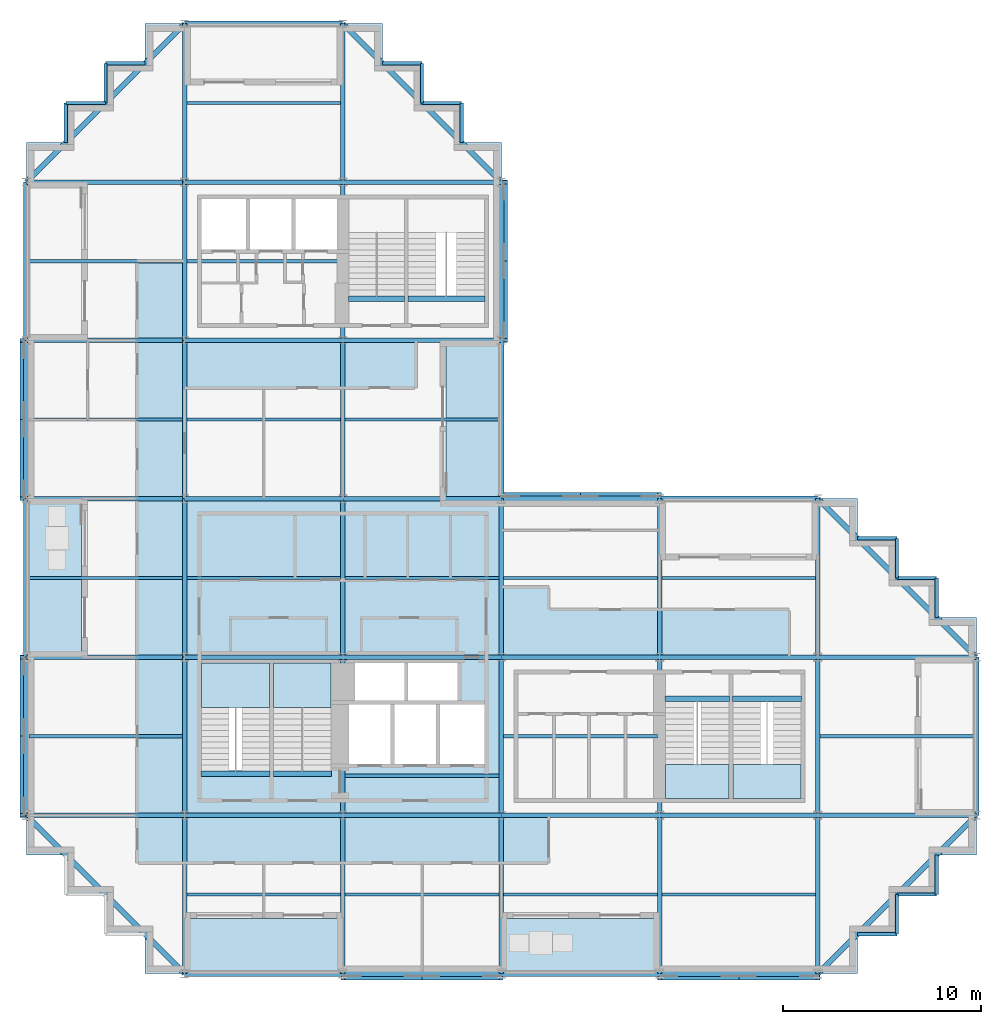
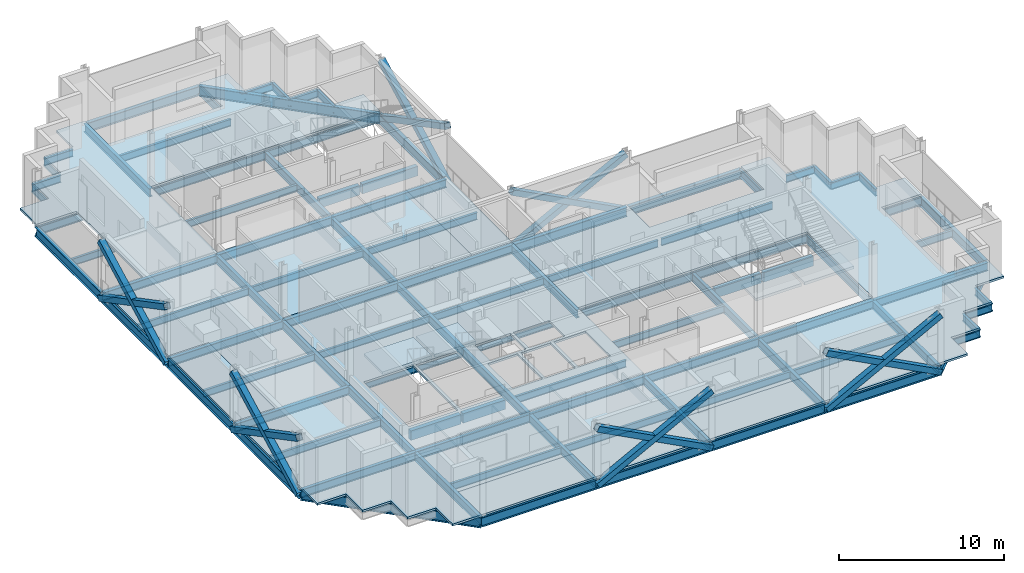
# One storey, part 3 of 13: 102 beams, 12 members, 10 slabs, 4 elements without a shape of their own.
"""IFC4 building model written with IfcOpenShell, lengths in metres."""

from ifc_helpers import new_model, si_unit, direction, frame, origin, origin_2d, place, context, subcontext, project, spatial, polyline, rectangle, hollow_rectangle, i_section, outline, extrude, material, layer, layer_set, material_profile, profile_set, type_object, element, aggregate, save


model = new_model("IFC4")

# Units and contexts
model_context = context("Model", 3, precision=1e-05, world=origin(), true_north=direction((0.0, 1.0)))
body_context = subcontext(model_context, "Body", "Model", "MODEL_VIEW")
ifc_project = project(units=[si_unit("LENGTHUNIT", "METRE"), si_unit("AREAUNIT", "SQUARE_METRE"), si_unit("VOLUMEUNIT", "CUBIC_METRE"), si_unit("PLANEANGLEUNIT", "RADIAN"), si_unit("MASSUNIT", "GRAM", prefix="KILO")], contexts=[model_context])

# Site, building, storey
site_placement = place(None, origin())
site = spatial("IfcSite", under=ifc_project, at=site_placement, CompositionType="ELEMENT")
building_placement = place(site_placement, origin())
building = spatial("IfcBuilding", under=site, at=building_placement, Name="Immortelle Media Tower", CompositionType="ELEMENT")
storey_placement = place(building_placement, frame((0.0, 0.0, 128.39990234375)))
storey = spatial("IfcBuildingStorey", under=building, at=storey_placement, Name="L25", CompositionType="ELEMENT", Elevation=128.39990234375)

# Members
ifc_material_1 = material(Name="Steel ASTM A500 Gr C", Category="steel")
ifc_material_profile_1 = material_profile(ifc_material_1, hollow_rectangle(XDim=0.406005859375, YDim=0.406005859375, WallThickness=0.011962890625, at=origin_2d()), Name="HSS16x16x1/2 brace")
ifc_profile_set_1 = profile_set([ifc_material_profile_1], Name="Steel ASTM A500 Gr C")
member_type = type_object("IfcMemberType", Name="HSS16x16x1/2 brace", PredefinedType="BRACE", material=ifc_profile_set_1)
for number, where, z_axis, x_axis, name in (
    (1, (16.0, -0.113037109375, -0.496337890625), (0.885400126936, 0.0, 0.464829662588), (0.0, 1.0, 0.0), "Brace A/3-4 A"),
    (2, (16.0, -0.113037109375, 3.70361328125), (0.885400126936, 0.0, -0.464829662588), (0.0, 1.0, 0.0), "Brace A/3-4 B"),
    (3, (32.0, -0.113037109375, -0.496337890625), (0.885400126936, 0.0, 0.464829662588), (0.0, 1.0, 0.0), "Brace A/5-6 A"),
    (4, (32.0, -0.113037109375, 3.70361328125), (0.885400126936, 0.0, -0.464829662588), (0.0, 1.0, 0.0), "Brace A/5-6 B"),
    (5, (32.0, 24.113037109375, -0.496337890625), (-0.885400126936, 0.0, 0.464829662588), (0.0, -1.0, 0.0), "Brace D/4-5 A"),
    (6, (32.0, 24.113037109375, 3.70361328125), (-0.885400126936, 0.0, -0.464829662588), (0.0, -1.0, 0.0), "Brace D/4-5 B"),
    (7, (24.113037109375, 32.0, -0.496337890625), (0.0, 0.885400126936, 0.464829662588), (-1.0, 0.0, 0.0), "Brace 4/E-F A"),
    (8, (24.113037109375, 32.0, 3.70361328125), (0.0, 0.885400126936, -0.464829662588), (-1.0, 0.0, 0.0), "Brace 4/E-F B"),
    (9, (-0.113037109375, 32.0, -0.496337890625), (0.0, -0.885400126936, 0.464829662588), (1.0, 0.0, 0.0), "Brace 1/D-E A"),
    (10, (-0.113037109375, 32.0, 3.70361328125), (0.0, -0.885400126936, -0.464829662588), (1.0, 0.0, 0.0), "Brace 1/D-E B"),
    (11, (-0.113037109375, 16.0, -0.496337890625), (0.0, -0.885400126936, 0.464829662588), (1.0, 0.0, 0.0), "Brace 1/B-C A"),
    (12, (-0.113037109375, 16.0, 3.70361328125), (0.0, -0.885400126936, -0.464829662588), (1.0, 0.0, 0.0), "Brace 1/B-C B"),
):
    element("IfcMember", number, at=place(storey_placement, frame(where, z_axis=z_axis, x_axis=x_axis)), inside=storey, type_object=member_type, Name=name, PredefinedType="BRACE", context=body_context, shape_type="SweptSolid", body=[
        extrude(hollow_rectangle(XDim=0.406005859375, YDim=0.406005859375, WallThickness=0.011962890625, at=origin_2d()), origin(), (0.0, 0.0, 1.0), 9.035400390625),
    ])

# Beams
ifc_material_2 = material(Name="Concrete C50/60", Category="concrete")
ifc_material_profile_2 = material_profile(ifc_material_2, rectangle(XDim=0.300048828125, YDim=0.699951171875, at=origin_2d()), Name="RC 300x700")
ifc_profile_set_2 = profile_set([ifc_material_profile_2], Name="Concrete C50/60")
beam_type_1 = type_object("IfcBeamType", Name="Stair trimmer beam 300 x 700", PredefinedType="BEAM", material=ifc_profile_set_2)
beam_1_placement = place(storey_placement, frame((8.830078125, 10.10498046875, -0.5), z_axis=(1.0, 0.0, 0.0), x_axis=(0.0, 1.0, 0.0)))
element("IfcBeam", 13, at=beam_1_placement, inside=storey, type_object=beam_type_1, Name="Stair trimmer beam SW1", PredefinedType="BEAM", context=body_context, shape_type="SweptSolid", body=[
    extrude(rectangle(XDim=0.300048828125, YDim=0.699951171875, at=origin_2d()), origin(), (0.0, 0.0, 1.0), 3.489990234375),
])
beam_2_placement = place(storey_placement, frame((12.47998046875, 10.10498046875, -0.5), z_axis=(1.0, 0.0, 0.0), x_axis=(0.0, 1.0, 0.0)))
element("IfcBeam", 14, at=beam_2_placement, inside=storey, type_object=beam_type_1, Name="Stair trimmer beam SW2", PredefinedType="BEAM", context=body_context, shape_type="SweptSolid", body=[
    extrude(rectangle(XDim=0.300048828125, YDim=0.699951171875, at=origin_2d()), origin(), (0.0, 0.0, 1.0), 2.93994140625),
])
beam_3_placement = place(storey_placement, frame((32.280029296875, 13.89501953125, -0.5), z_axis=(1.0, 0.0, 0.0), x_axis=(0.0, 1.0, 0.0)))
element("IfcBeam", 15, at=beam_3_placement, inside=storey, type_object=beam_type_1, Name="Stair trimmer beam SE1", PredefinedType="BEAM", context=body_context, shape_type="SweptSolid", body=[
    extrude(rectangle(XDim=0.300048828125, YDim=0.699951171875, at=origin_2d()), origin(), (0.0, 0.0, 1.0), 3.239990234375),
])
beam_4_placement = place(storey_placement, frame((35.679931640625, 13.89501953125, -0.5), z_axis=(1.0, 0.0, 0.0), x_axis=(0.0, 1.0, 0.0)))
element("IfcBeam", 16, at=beam_4_placement, inside=storey, type_object=beam_type_1, Name="Stair trimmer beam SE2", PredefinedType="BEAM", context=body_context, shape_type="SweptSolid", body=[
    extrude(rectangle(XDim=0.300048828125, YDim=0.699951171875, at=origin_2d()), origin(), (0.0, 0.0, 1.0), 3.489990234375),
])
beam_5_placement = place(storey_placement, frame((16.280029296875, 34.10498046875, -0.5), z_axis=(1.0, 0.0, 0.0), x_axis=(0.0, 1.0, 0.0)))
element("IfcBeam", 17, at=beam_5_placement, inside=storey, type_object=beam_type_1, Name="Stair trimmer beam NW1", PredefinedType="BEAM", context=body_context, shape_type="SweptSolid", body=[
    extrude(rectangle(XDim=0.300048828125, YDim=0.699951171875, at=origin_2d()), origin(), (0.0, 0.0, 1.0), 2.840087890625),
])
beam_6_placement = place(storey_placement, frame((19.280029296875, 34.10498046875, -0.5), z_axis=(1.0, 0.0, 0.0), x_axis=(0.0, 1.0, 0.0)))
element("IfcBeam", 18, at=beam_6_placement, inside=storey, type_object=beam_type_1, Name="Stair trimmer beam NW2", PredefinedType="BEAM", context=body_context, shape_type="SweptSolid", body=[
    extrude(rectangle(XDim=0.300048828125, YDim=0.699951171875, at=origin_2d()), origin(), (0.0, 0.0, 1.0), 3.889892578125),
])
ifc_material_3 = material(Name="Steel ASTM A992 Gr 50", Category="steel")
ifc_material_profile_3 = material_profile(ifc_material_3, i_section(OverallWidth=0.1650390625, OverallDepth=0.52587890625, WebThickness=0.009033203125, FlangeThickness=0.010986328125, at=origin_2d()), Name="W21x44")
ifc_profile_set_3 = profile_set([ifc_material_profile_3], Name="Steel ASTM A992 Gr 50")
beam_type_2 = type_object("IfcBeamType", Name="W21x44 secondary beam", PredefinedType="JOIST", material=ifc_profile_set_3)
for number, where, z_axis, x_axis, name in (
    (19, (8.114501953125, 4.0, -0.412841796875), (1.0, 0.0, 0.0), (0.0, 1.0, 0.0), "Beam A-B/2-3"),
    (20, (16.114501953125, 4.0, -0.412841796875), (1.0, 0.0, 0.0), (0.0, 1.0, 0.0), "Beam A-B/3-4"),
    (21, (24.114501953125, 4.0, -0.412841796875), (1.0, 0.0, 0.0), (0.0, 1.0, 0.0), "Beam A-B/4-5"),
    (22, (32.114501953125, 4.0, -0.412841796875), (1.0, 0.0, 0.0), (0.0, 1.0, 0.0), "Beam A-B/5-6"),
):
    element("IfcBeam", number, at=place(storey_placement, frame(where, z_axis=z_axis, x_axis=x_axis)), inside=storey, type_object=beam_type_2, Name=name, PredefinedType="JOIST", context=body_context, shape_type="SweptSolid", body=[
        extrude(i_section(OverallWidth=0.1650390625, OverallDepth=0.52587890625, WebThickness=0.009033203125, FlangeThickness=0.010986328125, at=origin_2d()), origin(), (0.0, 0.0, 1.0), 7.77099609375),
    ])
beam_7_placement = place(storey_placement, frame((0.12841796875, 12.0, -0.412841796875), z_axis=(1.0, 0.0, 0.0), x_axis=(0.0, 1.0, 0.0)))
element("IfcBeam", 23, at=beam_7_placement, inside=storey, type_object=beam_type_2, Name="Beam B-C/1-2", PredefinedType="JOIST", context=body_context, shape_type="SweptSolid", body=[
    extrude(i_section(OverallWidth=0.1650390625, OverallDepth=0.52587890625, WebThickness=0.009033203125, FlangeThickness=0.010986328125, at=origin_2d()), origin(), (0.0, 0.0, 1.0), 7.757080078125),
])
for number, where, z_axis, x_axis, name in (
    (24, (16.114501953125, 10.0, -0.412841796875), (1.0, 0.0, 0.0), (0.0, 1.0, 0.0), "Beam B-C/3-4"),
    (25, (24.114501953125, 12.0, -0.412841796875), (1.0, 0.0, 0.0), (0.0, 1.0, 0.0), "Beam B-C/4-5"),
):
    element("IfcBeam", number, at=place(storey_placement, frame(where, z_axis=z_axis, x_axis=x_axis)), inside=storey, type_object=beam_type_2, Name=name, PredefinedType="JOIST", context=body_context, shape_type="SweptSolid", body=[
        extrude(i_section(OverallWidth=0.1650390625, OverallDepth=0.52587890625, WebThickness=0.009033203125, FlangeThickness=0.010986328125, at=origin_2d()), origin(), (0.0, 0.0, 1.0), 7.77099609375),
    ])
for number, where, z_axis, x_axis, name in (
    (26, (40.114501953125, 12.0, -0.412841796875), (1.0, 0.0, 0.0), (0.0, 1.0, 0.0), "Beam B-C/6-7"),
    (27, (0.12841796875, 20.0, -0.412841796875), (1.0, 0.0, 0.0), (0.0, 1.0, 0.0), "Beam C-D/1-2"),
):
    element("IfcBeam", number, at=place(storey_placement, frame(where, z_axis=z_axis, x_axis=x_axis)), inside=storey, type_object=beam_type_2, Name=name, PredefinedType="JOIST", context=body_context, shape_type="SweptSolid", body=[
        extrude(i_section(OverallWidth=0.1650390625, OverallDepth=0.52587890625, WebThickness=0.009033203125, FlangeThickness=0.010986328125, at=origin_2d()), origin(), (0.0, 0.0, 1.0), 7.757080078125),
    ])
for number, where, z_axis, x_axis, name in (
    (28, (8.114501953125, 20.0, -0.412841796875), (1.0, 0.0, 0.0), (0.0, 1.0, 0.0), "Beam C-D/2-3"),
    (29, (16.114501953125, 20.0, -0.412841796875), (1.0, 0.0, 0.0), (0.0, 1.0, 0.0), "Beam C-D/3-4"),
    (30, (24.114501953125, 20.0, -0.412841796875), (1.0, 0.0, 0.0), (0.0, 1.0, 0.0), "Beam C-D/4-5"),
    (31, (32.114501953125, 20.0, -0.412841796875), (1.0, 0.0, 0.0), (0.0, 1.0, 0.0), "Beam C-D/5-6"),
):
    element("IfcBeam", number, at=place(storey_placement, frame(where, z_axis=z_axis, x_axis=x_axis)), inside=storey, type_object=beam_type_2, Name=name, PredefinedType="JOIST", context=body_context, shape_type="SweptSolid", body=[
        extrude(i_section(OverallWidth=0.1650390625, OverallDepth=0.52587890625, WebThickness=0.009033203125, FlangeThickness=0.010986328125, at=origin_2d()), origin(), (0.0, 0.0, 1.0), 7.77099609375),
    ])
beam_8_placement = place(storey_placement, frame((0.12841796875, 28.0, -0.412841796875), z_axis=(1.0, 0.0, 0.0), x_axis=(0.0, 1.0, 0.0)))
element("IfcBeam", 32, at=beam_8_placement, inside=storey, type_object=beam_type_2, Name="Beam D-E/1-2", PredefinedType="JOIST", context=body_context, shape_type="SweptSolid", body=[
    extrude(i_section(OverallWidth=0.1650390625, OverallDepth=0.52587890625, WebThickness=0.009033203125, FlangeThickness=0.010986328125, at=origin_2d()), origin(), (0.0, 0.0, 1.0), 7.757080078125),
])
beam_9_placement = place(storey_placement, frame((8.114501953125, 28.0, -0.412841796875), z_axis=(1.0, 0.0, 0.0), x_axis=(0.0, 1.0, 0.0)))
element("IfcBeam", 33, at=beam_9_placement, inside=storey, type_object=beam_type_2, Name="Beam D-E/2-3", PredefinedType="JOIST", context=body_context, shape_type="SweptSolid", body=[
    extrude(i_section(OverallWidth=0.1650390625, OverallDepth=0.52587890625, WebThickness=0.009033203125, FlangeThickness=0.010986328125, at=origin_2d()), origin(), (0.0, 0.0, 1.0), 7.77099609375),
])
for number, where, z_axis, x_axis, name in (
    (34, (16.114501953125, 28.0, -0.412841796875), (1.0, 0.0, 0.0), (0.0, 1.0, 0.0), "Beam D-E/3-4"),
    (35, (0.12841796875, 36.0, -0.412841796875), (1.0, 0.0, 0.0), (0.0, 1.0, 0.0), "Beam E-F/1-2"),
):
    element("IfcBeam", number, at=place(storey_placement, frame(where, z_axis=z_axis, x_axis=x_axis)), inside=storey, type_object=beam_type_2, Name=name, PredefinedType="JOIST", context=body_context, shape_type="SweptSolid", body=[
        extrude(i_section(OverallWidth=0.1650390625, OverallDepth=0.52587890625, WebThickness=0.009033203125, FlangeThickness=0.010986328125, at=origin_2d()), origin(), (0.0, 0.0, 1.0), 7.757080078125),
    ])
for number, where, z_axis, x_axis, name in (
    (36, (8.114501953125, 36.0, -0.412841796875), (1.0, 0.0, 0.0), (0.0, 1.0, 0.0), "Beam E-F/2-3"),
    (37, (8.114501953125, 44.0, -0.412841796875), (1.0, 0.0, 0.0), (0.0, 1.0, 0.0), "Beam F-G/2-3"),
):
    element("IfcBeam", number, at=place(storey_placement, frame(where, z_axis=z_axis, x_axis=x_axis)), inside=storey, type_object=beam_type_2, Name=name, PredefinedType="JOIST", context=body_context, shape_type="SweptSolid", body=[
        extrude(i_section(OverallWidth=0.1650390625, OverallDepth=0.52587890625, WebThickness=0.009033203125, FlangeThickness=0.010986328125, at=origin_2d()), origin(), (0.0, 0.0, 1.0), 7.77099609375),
    ])
ifc_material_profile_4 = material_profile(ifc_material_3, i_section(OverallWidth=0.1650390625, OverallDepth=0.52587890625, WebThickness=0.009033203125, FlangeThickness=0.010986328125, at=origin_2d()), Name="W21x44")
ifc_profile_set_4 = profile_set([ifc_material_profile_4], Name="Steel ASTM A992 Gr 50")
beam_type_3 = type_object("IfcBeamType", Name="W21x44 serration edge beam", PredefinedType="SPANDREL", material=ifc_profile_set_4)
for number, where, z_axis, x_axis, name in (
    (38, (2.0, 42.0, -0.412841796875), (0.0, 1.0, 0.0), (-1.0, 0.0, 0.0), "Corner edge beam 1 at 1/G"),
    (39, (2.0, 44.0, -0.412841796875), (1.0, 0.0, 0.0), (0.0, 1.0, 0.0), "Corner edge beam 2 at 1/G"),
    (40, (4.0, 44.0, -0.412841796875), (0.0, 1.0, 0.0), (-1.0, 0.0, 0.0), "Corner edge beam 3 at 1/G"),
    (41, (4.0, 46.0, -0.412841796875), (1.0, 0.0, 0.0), (0.0, 1.0, 0.0), "Corner edge beam 4 at 1/G"),
    (42, (18.0, 46.0, -0.412841796875), (1.0, 0.0, 0.0), (0.0, 1.0, 0.0), "Corner edge beam 1 at 4/G"),
    (43, (20.0, 46.0, -0.412841796875), (0.0, -1.0, 0.0), (1.0, 0.0, 0.0), "Corner edge beam 2 at 4/G"),
    (44, (20.0, 44.0, -0.412841796875), (1.0, 0.0, 0.0), (0.0, 1.0, 0.0), "Corner edge beam 3 at 4/G"),
    (45, (22.0, 44.0, -0.412841796875), (0.0, -1.0, 0.0), (1.0, 0.0, 0.0), "Corner edge beam 4 at 4/G"),
    (46, (46.0, 6.0, -0.412841796875), (0.0, -1.0, 0.0), (1.0, 0.0, 0.0), "Corner edge beam 1 at 7/A"),
    (47, (46.0, 4.0, -0.412841796875), (-1.0, 0.0, 0.0), (0.0, -1.0, 0.0), "Corner edge beam 2 at 7/A"),
    (48, (44.0, 4.0, -0.412841796875), (0.0, -1.0, 0.0), (1.0, 0.0, 0.0), "Corner edge beam 3 at 7/A"),
    (49, (44.0, 2.0, -0.412841796875), (-1.0, 0.0, 0.0), (0.0, -1.0, 0.0), "Corner edge beam 4 at 7/A"),
    (50, (42.0, 22.0, -0.412841796875), (1.0, 0.0, 0.0), (0.0, 1.0, 0.0), "Corner edge beam 1 at 7/D"),
    (51, (44.0, 22.0, -0.412841796875), (0.0, -1.0, 0.0), (1.0, 0.0, 0.0), "Corner edge beam 2 at 7/D"),
    (52, (44.0, 20.0, -0.412841796875), (1.0, 0.0, 0.0), (0.0, 1.0, 0.0), "Corner edge beam 3 at 7/D"),
    (53, (46.0, 20.0, -0.412841796875), (0.0, -1.0, 0.0), (1.0, 0.0, 0.0), "Corner edge beam 4 at 7/D"),
):
    element("IfcBeam", number, at=place(storey_placement, frame(where, z_axis=z_axis, x_axis=x_axis)), inside=storey, type_object=beam_type_3, Name=name, PredefinedType="SPANDREL", context=body_context, shape_type="SweptSolid", body=[
        extrude(i_section(OverallWidth=0.1650390625, OverallDepth=0.52587890625, WebThickness=0.009033203125, FlangeThickness=0.010986328125, at=origin_2d()), origin(), (0.0, 0.0, 1.0), 2.0),
    ])
ifc_material_profile_5 = material_profile(ifc_material_3, i_section(OverallWidth=0.22900390625, OverallDepth=0.612060546875, WebThickness=0.011962890625, FlangeThickness=0.02001953125, at=origin_2d()), Name="W24x84")
ifc_profile_set_5 = profile_set([ifc_material_profile_5], Name="Steel ASTM A992 Gr 50")
beam_type_4 = type_object("IfcBeamType", Name="W24x84 girder", PredefinedType="BEAM", material=ifc_profile_set_5)
for number, where, z_axis, x_axis, name in (
    (54, (0.0, 8.0, -0.455810546875), (1.0, 0.0, 0.0), (0.0, 1.0, 0.0), "Girder B/1-2"),
    (55, (0.0, 16.0, -0.455810546875), (1.0, 0.0, 0.0), (0.0, 1.0, 0.0), "Girder C/1-2"),
    (56, (0.0, 24.0, -0.455810546875), (1.0, 0.0, 0.0), (0.0, 1.0, 0.0), "Girder D/1-2"),
    (57, (0.0, 32.0, -0.455810546875), (1.0, 0.0, 0.0), (0.0, 1.0, 0.0), "Girder E/1-2"),
    (58, (0.0, 40.0, -0.455810546875), (1.0, 0.0, 0.0), (0.0, 1.0, 0.0), "Girder F/1-2"),
    (59, (8.0, 0.0, -0.455810546875), (0.0, 1.0, 0.0), (-1.0, 0.0, 0.0), "Girder 2/A-B"),
    (60, (8.0, 8.0, -0.455810546875), (1.0, 0.0, 0.0), (0.0, 1.0, 0.0), "Girder B/2-3"),
    (61, (8.0, 8.0, -0.455810546875), (0.0, 1.0, 0.0), (-1.0, 0.0, 0.0), "Girder 2/B-C"),
    (62, (8.0, 16.0, -0.455810546875), (1.0, 0.0, 0.0), (0.0, 1.0, 0.0), "Girder C/2-3"),
    (63, (8.0, 16.0, -0.455810546875), (0.0, 1.0, 0.0), (-1.0, 0.0, 0.0), "Girder 2/C-D"),
    (64, (8.0, 24.0, -0.455810546875), (1.0, 0.0, 0.0), (0.0, 1.0, 0.0), "Girder D/2-3"),
    (65, (8.0, 24.0, -0.455810546875), (0.0, 1.0, 0.0), (-1.0, 0.0, 0.0), "Girder 2/D-E"),
    (66, (8.0, 32.0, -0.455810546875), (1.0, 0.0, 0.0), (0.0, 1.0, 0.0), "Girder E/2-3"),
    (67, (8.0, 32.0, -0.455810546875), (0.0, 1.0, 0.0), (-1.0, 0.0, 0.0), "Girder 2/E-F"),
    (68, (8.0, 40.0, -0.455810546875), (1.0, 0.0, 0.0), (0.0, 1.0, 0.0), "Girder F/2-3"),
    (69, (8.0, 40.0, -0.455810546875), (0.0, 1.0, 0.0), (-1.0, 0.0, 0.0), "Girder 2/F-G"),
    (70, (16.0, 0.0, -0.455810546875), (0.0, 1.0, 0.0), (-1.0, 0.0, 0.0), "Girder 3/A-B"),
    (71, (16.0, 8.0, -0.455810546875), (1.0, 0.0, 0.0), (0.0, 1.0, 0.0), "Girder B/3-4"),
    (72, (16.0, 8.0, -0.455810546875), (0.0, 1.0, 0.0), (-1.0, 0.0, 0.0), "Girder 3/B-C"),
    (73, (16.0, 16.0, -0.455810546875), (1.0, 0.0, 0.0), (0.0, 1.0, 0.0), "Girder C/3-4"),
    (74, (16.0, 16.0, -0.455810546875), (0.0, 1.0, 0.0), (-1.0, 0.0, 0.0), "Girder 3/C-D"),
    (75, (16.0, 24.0, -0.455810546875), (1.0, 0.0, 0.0), (0.0, 1.0, 0.0), "Girder D/3-4"),
    (76, (16.0, 24.0, -0.455810546875), (0.0, 1.0, 0.0), (-1.0, 0.0, 0.0), "Girder 3/D-E"),
    (77, (16.0, 32.0, -0.455810546875), (1.0, 0.0, 0.0), (0.0, 1.0, 0.0), "Girder E/3-4"),
    (78, (16.0, 32.0, -0.455810546875), (0.0, 1.0, 0.0), (-1.0, 0.0, 0.0), "Girder 3/E-F"),
    (79, (16.0, 40.0, -0.455810546875), (1.0, 0.0, 0.0), (0.0, 1.0, 0.0), "Girder F/3-4"),
    (80, (16.0, 40.0, -0.455810546875), (0.0, 1.0, 0.0), (-1.0, 0.0, 0.0), "Girder 3/F-G"),
    (81, (24.0, 0.0, -0.455810546875), (0.0, 1.0, 0.0), (-1.0, 0.0, 0.0), "Girder 4/A-B"),
    (82, (24.0, 8.0, -0.455810546875), (1.0, 0.0, 0.0), (0.0, 1.0, 0.0), "Girder B/4-5"),
    (83, (24.0, 8.0, -0.455810546875), (0.0, 1.0, 0.0), (-1.0, 0.0, 0.0), "Girder 4/B-C"),
    (84, (24.0, 16.0, -0.455810546875), (1.0, 0.0, 0.0), (0.0, 1.0, 0.0), "Girder C/4-5"),
    (85, (24.0, 16.0, -0.455810546875), (0.0, 1.0, 0.0), (-1.0, 0.0, 0.0), "Girder 4/C-D"),
    (86, (32.0, 0.0, -0.455810546875), (0.0, 1.0, 0.0), (-1.0, 0.0, 0.0), "Girder 5/A-B"),
    (87, (32.0, 8.0, -0.455810546875), (1.0, 0.0, 0.0), (0.0, 1.0, 0.0), "Girder B/5-6"),
    (88, (32.0, 8.0, -0.455810546875), (0.0, 1.0, 0.0), (-1.0, 0.0, 0.0), "Girder 5/B-C"),
    (89, (32.0, 16.0, -0.455810546875), (1.0, 0.0, 0.0), (0.0, 1.0, 0.0), "Girder C/5-6"),
    (90, (32.0, 16.0, -0.455810546875), (0.0, 1.0, 0.0), (-1.0, 0.0, 0.0), "Girder 5/C-D"),
    (91, (40.0, 0.0, -0.455810546875), (0.0, 1.0, 0.0), (-1.0, 0.0, 0.0), "Girder 6/A-B"),
    (92, (40.0, 8.0, -0.455810546875), (1.0, 0.0, 0.0), (0.0, 1.0, 0.0), "Girder B/6-7"),
    (93, (40.0, 8.0, -0.455810546875), (0.0, 1.0, 0.0), (-1.0, 0.0, 0.0), "Girder 6/B-C"),
    (94, (40.0, 16.0, -0.455810546875), (1.0, 0.0, 0.0), (0.0, 1.0, 0.0), "Girder C/6-7"),
    (95, (40.0, 16.0, -0.455810546875), (0.0, 1.0, 0.0), (-1.0, 0.0, 0.0), "Girder 6/C-D"),
):
    element("IfcBeam", number, at=place(storey_placement, frame(where, z_axis=z_axis, x_axis=x_axis)), inside=storey, type_object=beam_type_4, Name=name, PredefinedType="BEAM", context=body_context, shape_type="SweptSolid", body=[
        extrude(i_section(OverallWidth=0.22900390625, OverallDepth=0.612060546875, WebThickness=0.011962890625, FlangeThickness=0.02001953125, at=origin_2d()), origin(), (0.0, 0.0, 1.0), 8.0),
    ])
ifc_material_profile_6 = material_profile(ifc_material_3, i_section(OverallWidth=0.257080078125, OverallDepth=0.693115234375, WebThickness=0.013916015625, FlangeThickness=0.02392578125, at=origin_2d()), Name="W27x114")
ifc_profile_set_6 = profile_set([ifc_material_profile_6], Name="Steel ASTM A992 Gr 50")
beam_type_5 = type_object("IfcBeamType", Name="W27x114 perimeter girder", PredefinedType="SPANDREL", material=ifc_profile_set_6)
for number, where, z_axis, x_axis, name in (
    (96, (0.0, 8.0, -0.496337890625), (0.0, 1.0, 0.0), (-1.0, 0.0, 0.0), "Girder 1/B-C"),
    (97, (0.0, 16.0, -0.496337890625), (0.0, 1.0, 0.0), (-1.0, 0.0, 0.0), "Girder 1/C-D"),
    (98, (0.0, 24.0, -0.496337890625), (0.0, 1.0, 0.0), (-1.0, 0.0, 0.0), "Girder 1/D-E"),
    (99, (0.0, 32.0, -0.496337890625), (0.0, 1.0, 0.0), (-1.0, 0.0, 0.0), "Girder 1/E-F"),
    (100, (8.0, 0.0, -0.496337890625), (1.0, 0.0, 0.0), (0.0, 1.0, 0.0), "Girder A/2-3"),
    (101, (8.0, 48.0, -0.496337890625), (1.0, 0.0, 0.0), (0.0, 1.0, 0.0), "Girder G/2-3"),
    (102, (16.0, 0.0, -0.496337890625), (1.0, 0.0, 0.0), (0.0, 1.0, 0.0), "Girder A/3-4"),
    (103, (24.0, 0.0, -0.496337890625), (1.0, 0.0, 0.0), (0.0, 1.0, 0.0), "Girder A/4-5"),
    (104, (24.0, 24.0, -0.496337890625), (1.0, 0.0, 0.0), (0.0, 1.0, 0.0), "Girder D/4-5"),
    (105, (24.0, 24.0, -0.496337890625), (0.0, 1.0, 0.0), (-1.0, 0.0, 0.0), "Girder 4/D-E"),
    (106, (24.0, 32.0, -0.496337890625), (0.0, 1.0, 0.0), (-1.0, 0.0, 0.0), "Girder 4/E-F"),
    (107, (32.0, 0.0, -0.496337890625), (1.0, 0.0, 0.0), (0.0, 1.0, 0.0), "Girder A/5-6"),
    (108, (32.0, 24.0, -0.496337890625), (1.0, 0.0, 0.0), (0.0, 1.0, 0.0), "Girder D/5-6"),
    (109, (48.0, 8.0, -0.496337890625), (0.0, 1.0, 0.0), (-1.0, 0.0, 0.0), "Girder 7/B-C"),
):
    element("IfcBeam", number, at=place(storey_placement, frame(where, z_axis=z_axis, x_axis=x_axis)), inside=storey, type_object=beam_type_5, Name=name, PredefinedType="SPANDREL", context=body_context, shape_type="SweptSolid", body=[
        extrude(i_section(OverallWidth=0.257080078125, OverallDepth=0.693115234375, WebThickness=0.013916015625, FlangeThickness=0.02392578125, at=origin_2d()), origin(), (0.0, 0.0, 1.0), 8.0),
    ])
ifc_material_profile_7 = material_profile(ifc_material_3, i_section(OverallWidth=0.26708984375, OverallDepth=0.761962890625, WebThickness=0.013916015625, FlangeThickness=0.02197265625, at=origin_2d()), Name="W30x116")
ifc_profile_set_7 = profile_set([ifc_material_profile_7], Name="Steel ASTM A992 Gr 50")
beam_type_6 = type_object("IfcBeamType", Name="W30x116 corner girder", PredefinedType="SPANDREL", material=ifc_profile_set_7)
for number, where, z_axis, x_axis, name in (
    (110, (8.0, 0.0, -0.531005859375), (-0.707106781187, 0.707106781187, 0.0), (-0.707106781187, -0.707106781187, 0.0), "Corner girder at 1/A"),
    (111, (0.0, 40.0, -0.531005859375), (0.707106781187, 0.707106781187, 0.0), (-0.707106781187, 0.707106781187, 0.0), "Corner girder at 1/G"),
    (112, (16.0, 48.0, -0.531005859375), (0.707106781187, -0.707106781187, 0.0), (0.707106781187, 0.707106781187, 0.0), "Corner girder at 4/G"),
    (113, (48.0, 8.0, -0.531005859375), (-0.707106781187, -0.707106781187, 0.0), (0.707106781187, -0.707106781187, 0.0), "Corner girder at 7/A"),
    (114, (40.0, 24.0, -0.531005859375), (0.707106781187, -0.707106781187, 0.0), (0.707106781187, 0.707106781187, 0.0), "Corner girder at 7/D"),
):
    element("IfcBeam", number, at=place(storey_placement, frame(where, z_axis=z_axis, x_axis=x_axis)), inside=storey, type_object=beam_type_6, Name=name, PredefinedType="SPANDREL", context=body_context, shape_type="SweptSolid", body=[
        extrude(i_section(OverallWidth=0.26708984375, OverallDepth=0.761962890625, WebThickness=0.013916015625, FlangeThickness=0.02197265625, at=origin_2d()), origin(), (0.0, 0.0, 1.0), 11.313720703125),
    ])

# Slabs
ifc_material_4 = material(Name="Concrete C50/60 composite deck", Category="concrete")
ifc_layer_1 = layer(ifc_material_4, 0.14990234375)
ifc_layer_set_1 = layer_set([ifc_layer_1], Name="Concrete C50/60 composite deck")
slab_type_1 = type_object("IfcSlabType", Name="Balcony slab 150", PredefinedType="FLOOR", material=ifc_layer_set_1)
slab_1_placement = place(storey_placement, frame((0.0, 0.0, -0.14990234375)))
element("IfcSlab", 115, at=slab_1_placement, inside=storey, type_object=slab_type_1, Name="Balcony slab L25 S0", PredefinedType="FLOOR", context=body_context, shape_type="SweptSolid", body=[
    extrude(outline(polyline([(16.0, 0.0), (16.0, 2.800048828125), (8.0, 2.800048828125), (8.0, 0.0), (16.0, 0.0)])), origin(), (0.0, 0.0, 1.0), 0.14990234375),
])
slab_2_placement = place(storey_placement, frame((0.0, 0.0, -0.14990234375)))
element("IfcSlab", 116, at=slab_2_placement, inside=storey, type_object=slab_type_1, Name="Balcony slab L25 S2", PredefinedType="FLOOR", context=body_context, shape_type="SweptSolid", body=[
    extrude(outline(polyline([(32.0, 0.0), (32.0, 2.800048828125), (24.0, 2.800048828125), (24.0, 0.0), (32.0, 0.0)])), origin(), (0.0, 0.0, 1.0), 0.14990234375),
])
slab_3_placement = place(storey_placement, frame((0.0, 0.0, -0.14990234375)))
element("IfcSlab", 117, at=slab_3_placement, inside=storey, type_object=slab_type_1, Name="Balcony slab L25 E0", PredefinedType="FLOOR", context=body_context, shape_type="SweptSolid", body=[
    extrude(outline(polyline([(24.0, 24.0), (24.0, 32.0), (21.199951171875, 32.0), (21.199951171875, 24.0), (24.0, 24.0)])), origin(), (0.0, 0.0, 1.0), 0.14990234375),
])
slab_4_placement = place(storey_placement, frame((0.0, 0.0, -0.14990234375)))
element("IfcSlab", 118, at=slab_4_placement, inside=storey, type_object=slab_type_1, Name="Balcony slab L25 W2", PredefinedType="FLOOR", context=body_context, shape_type="SweptSolid", body=[
    extrude(outline(polyline([(2.800048828125, 16.0), (2.800048828125, 24.0), (0.0, 24.0), (0.0, 16.0), (2.800048828125, 16.0)])), origin(), (0.0, 0.0, 1.0), 0.14990234375),
])
ifc_layer_2 = layer(ifc_material_2, 0.14990234375)
ifc_layer_set_2 = layer_set([ifc_layer_2], Name="Concrete C50/60")
slab_type_2 = type_object("IfcSlabType", Name="Composite floor slab 150", PredefinedType="FLOOR", material=ifc_layer_set_2)
slab_5_placement = place(storey_placement, frame((0.0, 0.0, -0.14990234375)))
element("IfcSlab", 119, at=slab_5_placement, inside=storey, type_object=slab_type_2, Name="Floor slab L25", PredefinedType="FLOOR", context=body_context, shape_type="SweptSolid", body=[
    extrude(outline(polyline([(6.0, 0.0), (6.0, 2.0), (4.0, 2.0), (4.0, 4.0), (2.0, 4.0), (2.0, 6.0), (0.0, 6.0), (0.0, 16.0), (2.800048828125, 16.0), (2.800048828125, 24.0), (0.0, 24.0), (0.0, 32.0), (2.800048828125, 32.0), (2.800048828125, 40.0), (0.0, 40.0), (0.0, 42.0), (2.0, 42.0), (2.0, 44.0), (4.0, 44.0), (4.0, 46.0), (6.0, 46.0), (6.0, 48.0), (8.0, 48.0), (8.0, 45.199951171875), (16.0, 45.199951171875), (16.0, 48.0), (18.0, 48.0), (18.0, 46.0), (20.0, 46.0), (20.0, 44.0), (22.0, 44.0), (22.0, 42.0), (24.0, 42.0), (24.0, 40.0), (8.0, 40.0), (8.0, 32.0), (21.199951171875, 32.0), (21.199951171875, 24.0), (8.0, 24.0), (8.0, 8.0), (24.0, 8.0), (40.0, 8.0), (40.0, 16.0), (24.0, 16.0), (24.0, 24.0), (32.0, 24.0), (32.0, 21.199951171875), (40.0, 21.199951171875), (40.0, 24.0), (42.0, 24.0), (42.0, 22.0), (44.0, 22.0), (44.0, 20.0), (46.0, 20.0), (46.0, 18.0), (48.0, 18.0), (48.0, 16.0), (45.199951171875, 16.0), (45.199951171875, 8.0), (48.0, 8.0), (48.0, 6.0), (46.0, 6.0), (46.0, 4.0), (44.0, 4.0), (44.0, 2.0), (42.0, 2.0), (42.0, 0.0), (32.0, 0.0), (32.0, 2.800048828125), (24.0, 2.800048828125), (24.0, 0.0), (16.0, 0.0), (16.0, 2.800048828125), (8.0, 2.800048828125), (8.0, 0.0), (6.0, 0.0)])), origin(), (0.0, 0.0, 1.0), 0.14990234375),
])
ifc_layer_3 = layer(ifc_material_2, 0.14990234375)
ifc_layer_set_3 = layer_set([ifc_layer_3], Name="Concrete C50/60")
slab_type_3 = type_object("IfcSlabType", Name="Core floor slab 150", PredefinedType="FLOOR", material=ifc_layer_set_3)
slab_6_placement = place(storey_placement, frame((0.0, 0.0, -0.14990234375)))
element("IfcSlab", 120, at=slab_6_placement, inside=storey, type_object=slab_type_3, Name="Core floor SW", PredefinedType="FLOOR", context=body_context, shape_type="SweptSolid", body=[
    extrude(outline(polyline([(8.0, 8.0), (24.0, 8.0), (24.0, 24.0), (8.0, 24.0), (8.0, 8.0)]), holes=[polyline([(16.60009765625, 13.800048828125), (19.10009765625, 13.800048828125), (19.10009765625, 15.699951171875), (16.60009765625, 15.699951171875), (16.60009765625, 13.800048828125)]), polyline([(19.300048828125, 13.800048828125), (21.800048828125, 13.800048828125), (21.800048828125, 15.699951171875), (19.300048828125, 15.699951171875), (19.300048828125, 13.800048828125)]), polyline([(16.300048828125, 10.60009765625), (18.39990234375, 10.60009765625), (18.39990234375, 13.60009765625), (16.300048828125, 13.60009765625), (16.300048828125, 10.60009765625)]), polyline([(18.60009765625, 10.60009765625), (20.699951171875, 10.60009765625), (20.699951171875, 13.60009765625), (18.60009765625, 13.60009765625), (18.60009765625, 10.60009765625)]), polyline([(20.89990234375, 10.60009765625), (23.14990234375, 10.60009765625), (23.14990234375, 13.60009765625), (20.89990234375, 13.60009765625), (20.89990234375, 10.60009765625)]), polyline([(8.85009765625, 10.27001953125), (12.300048828125, 10.27001953125), (12.300048828125, 15.699951171875), (8.85009765625, 15.699951171875), (8.85009765625, 10.27001953125)]), polyline([(12.5, 10.27001953125), (15.39990234375, 10.27001953125), (15.39990234375, 15.699951171875), (12.5, 15.699951171875), (12.5, 10.27001953125)])]), origin(), (0.0, 0.0, 1.0), 0.14990234375),
])

# Stair, slab
stair_type = type_object("IfcStairType", Name="Stair with flights", PredefinedType="DOUBLE_RETURN_STAIR", material=ifc_material_3)
stair_1_placement = place(storey_placement, origin())
stair_1 = element("IfcStair", 121, at=stair_1_placement, inside=storey, type_object=stair_type, Name="Exit stair SW1", PredefinedType="DOUBLE_RETURN_STAIR")
ifc_material_5 = material(Name="Steel ASTM A572 Gr 50", Category="steel")
ifc_layer_4 = layer(ifc_material_5, 0.199951171875)
ifc_layer_set_4 = layer_set([ifc_layer_4], Name="Steel ASTM A572 Gr 50")
slab_type_4 = type_object("IfcSlabType", Name="Stair landing 200", PredefinedType="LANDING", material=ifc_layer_set_4)
slab_7_placement = place(storey_placement, frame((0.0, 0.0, 1.900146484375)))
slab_7 = element("IfcSlab", 122, at=slab_7_placement, type_object=slab_type_4, Name="ST SW1 landing 1", PredefinedType="LANDING", context=body_context, shape_type="SweptSolid", body=[
    extrude(outline(polyline([(8.85009765625, 13.43994140625), (12.300048828125, 13.43994140625), (12.300048828125, 15.699951171875), (8.85009765625, 15.699951171875), (8.85009765625, 13.43994140625)])), origin(), (0.0, 0.0, 1.0), 0.199951171875),
])
aggregate(stair_1, [slab_7])

stair_2_placement = place(storey_placement, origin())
stair_2 = element("IfcStair", 123, at=stair_2_placement, inside=storey, type_object=stair_type, Name="Exit stair SW2", PredefinedType="DOUBLE_RETURN_STAIR")
slab_8_placement = place(storey_placement, frame((0.0, 0.0, 1.900146484375)))
slab_8 = element("IfcSlab", 124, at=slab_8_placement, type_object=slab_type_4, Name="ST SW2 landing 1", PredefinedType="LANDING", context=body_context, shape_type="SweptSolid", body=[
    extrude(outline(polyline([(12.5, 13.43994140625), (15.39990234375, 13.43994140625), (15.39990234375, 15.699951171875), (12.5, 15.699951171875), (12.5, 13.43994140625)])), origin(), (0.0, 0.0, 1.0), 0.199951171875),
])
aggregate(stair_2, [slab_8])

stair_3_placement = place(storey_placement, origin())
stair_3 = element("IfcStair", 125, at=stair_3_placement, inside=storey, type_object=stair_type, Name="Exit stair SE1", PredefinedType="DOUBLE_RETURN_STAIR")
slab_9_placement = place(storey_placement, frame((0.0, 0.0, 1.900146484375)))
slab_9 = element("IfcSlab", 126, at=slab_9_placement, type_object=slab_type_4, Name="ST SE1 landing 1", PredefinedType="LANDING", context=body_context, shape_type="SweptSolid", body=[
    extrude(outline(polyline([(32.300048828125, 8.85009765625), (35.5, 8.85009765625), (35.5, 10.56005859375), (32.300048828125, 10.56005859375), (32.300048828125, 8.85009765625)])), origin(), (0.0, 0.0, 1.0), 0.199951171875),
])
aggregate(stair_3, [slab_9])

stair_4_placement = place(storey_placement, origin())
stair_4 = element("IfcStair", 127, at=stair_4_placement, inside=storey, type_object=stair_type, Name="Exit stair SE2", PredefinedType="DOUBLE_RETURN_STAIR")
slab_10_placement = place(storey_placement, frame((0.0, 0.0, 1.900146484375)))
slab_10 = element("IfcSlab", 128, at=slab_10_placement, type_object=slab_type_4, Name="ST SE2 landing 1", PredefinedType="LANDING", context=body_context, shape_type="SweptSolid", body=[
    extrude(outline(polyline([(35.699951171875, 8.85009765625), (39.14990234375, 8.85009765625), (39.14990234375, 10.56005859375), (35.699951171875, 10.56005859375), (35.699951171875, 8.85009765625)])), origin(), (0.0, 0.0, 1.0), 0.199951171875),
])
aggregate(stair_4, [slab_10])

save(model, "model.ifc")
